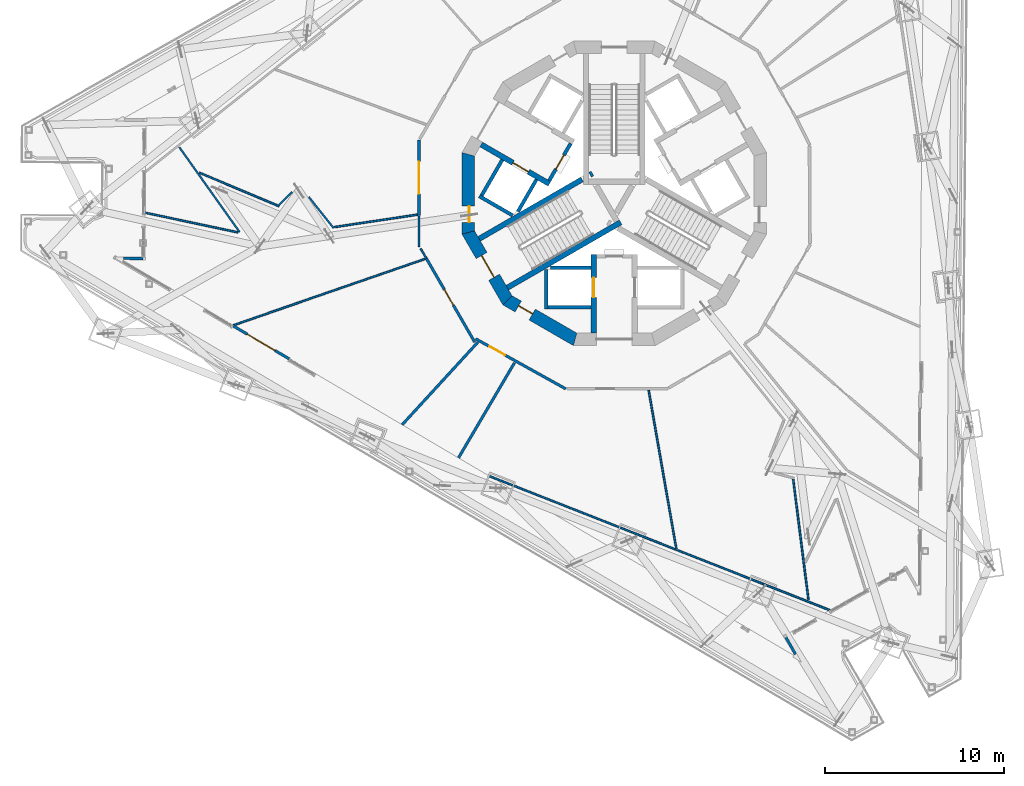
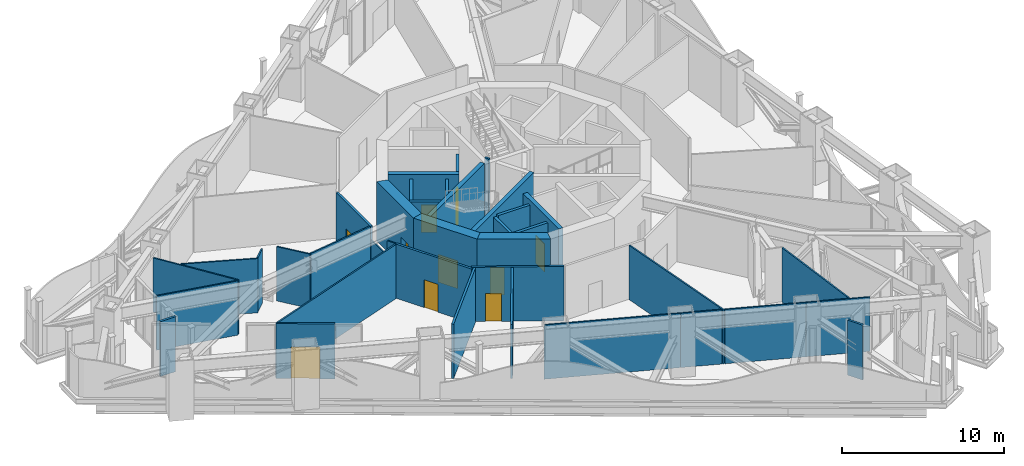
# One storey, part 12 of 27: 38 walls, 10 doors, 10 openings.
"""IFC4 building model written with IfcOpenShell, lengths in metres."""

from ifc_helpers import new_model, si_unit, direction, frame, frame_2d, origin, place, context, subcontext, project, spatial, polyline, rectangle, outline, extrude, material, layer, layer_set, type_object, element, fill, save


model = new_model("IFC4")

# Units and contexts
model_context = context("Model", 3, precision=1e-05, world=origin(), true_north=direction((0.0, 1.0)))
body_context = subcontext(model_context, "Body", "Model", "MODEL_VIEW")
ifc_project = project(units=[si_unit("LENGTHUNIT", "METRE"), si_unit("AREAUNIT", "SQUARE_METRE"), si_unit("VOLUMEUNIT", "CUBIC_METRE"), si_unit("PLANEANGLEUNIT", "RADIAN"), si_unit("MASSUNIT", "GRAM", prefix="KILO")], contexts=[model_context])

# Site, building, storey
site_placement = place(None, origin())
site = spatial("IfcSite", under=ifc_project, at=site_placement, CompositionType="ELEMENT")
building_placement = place(site_placement, origin())
building = spatial("IfcBuilding", under=site, at=building_placement, Name="Trine Commons Tower", CompositionType="ELEMENT")
storey_placement = place(building_placement, frame((0.0, 0.0, 193.5)))
storey = spatial("IfcBuildingStorey", under=building, at=storey_placement, Name="L50", CompositionType="ELEMENT", Elevation=193.5)

# Wall
ifc_material_1 = material(Name="Plasterboard on steel stud", Category="steel")
ifc_layer_1 = layer(ifc_material_1, 0.14990234375)
ifc_layer_set_1 = layer_set([ifc_layer_1], Name="Plasterboard on steel stud")
wall_type_1 = type_object("IfcWallType", Name="Compartment wall 150 mm, EI 60", PredefinedType="PARTITIONING", material=ifc_layer_set_1)
wall_1_placement = place(storey_placement, frame((68.159423828125, 49.5849609375, 0.0), z_axis=(0.0, 0.0, 1.0), x_axis=(0.675779353851, 0.737103971573, 0.0)))
element("IfcWall", 1, at=wall_1_placement, inside=storey, type_object=wall_type_1, Name="Partition A50011", PredefinedType="PARTITIONING", context=body_context, shape_type="SweptSolid", body=[
    extrude(rectangle(XDim=6.26220703125, YDim=0.14990234375, at=frame_2d((3.131103515625, 0.0))), origin(), (0.0, 0.0, 1.0), 4.10009765625),
])

# Wall, opening, door
wall_2_placement = place(storey_placement, frame((69.099853515625, 65.49560546875, 0.0), z_axis=(0.0, 0.0, 1.0), x_axis=(0.0, -1.0, 0.0)))
wall_2 = element("IfcWall", 2, at=wall_2_placement, inside=storey, type_object=wall_type_1, Name="Partition A50016", PredefinedType="PARTITIONING", context=body_context, shape_type="SweptSolid", body=[
    extrude(rectangle(XDim=4.2197265625, YDim=0.14990234375, at=frame_2d((2.10986328125, 0.0))), origin(), (0.0, 0.0, 1.0), 4.10009765625),
])
opening_1_placement = place(wall_2_placement, frame((1.222412109375, 0.0, 0.0)))
opening_1 = element("IfcOpeningElement", 3, at=opening_1_placement, cuts=wall_2, Name="Opening D-A5001", PredefinedType="OPENING", context=body_context, shape_type="SweptSolid", body=[
    extrude(rectangle(XDim=1.800048828125, YDim=2.10009765625, at=frame_2d((0.89990234375, 1.050048828125))), frame((0.0, 0.0849609375, 0.0), z_axis=(0.0, -1.0, 0.0), x_axis=(1.0, 0.0, 0.0)), (0.0, 0.0, 1.0), 0.169921875),
])
ifc_material_2 = material(Name="Timber fire door set", Category="wood")
door_type_1 = type_object("IfcDoorType", Name="Double swing door 1800x2100, FD30S", OperationType="DOUBLE_DOOR_DOUBLE_SWING", PredefinedType="DOOR", material=ifc_material_2)
door_1_placement = place(opening_1_placement, origin())
door_1 = element("IfcDoor", 4, at=door_1_placement, inside=storey, type_object=door_type_1, Name="Door D-A5001", OperationType="DOUBLE_DOOR_DOUBLE_SWING", OverallHeight=2.10009765625, OverallWidth=1.800048828125, PredefinedType="DOOR", context=body_context, shape_type="SweptSolid", body=[
    extrude(rectangle(XDim=1.800048828125, YDim=2.10009765625, at=frame_2d((0.89990234375, 1.050048828125))), frame((0.0, 0.02490234375, 0.0), z_axis=(0.0, -1.0, 0.0), x_axis=(1.0, 0.0, 0.0)), (0.0, 0.0, 1.0), 0.050048828125),
])
fill(opening_1, door_1)

wall_3_placement = place(storey_placement, frame((72.207763671875, 54.1962890625, 0.0), z_axis=(0.0, 0.0, 1.0), x_axis=(-0.500017505071, 0.866015296991, 0.0)))
wall_3 = element("IfcWall", 5, at=wall_3_placement, inside=storey, type_object=wall_type_1, Name="Partition A50018", PredefinedType="PARTITIONING", context=body_context, shape_type="SweptSolid", body=[
    extrude(rectangle(XDim=5.395751953125, YDim=0.14990234375, at=frame_2d((2.69775390625, 0.0))), origin(), (0.0, 0.0, 1.0), 4.10009765625),
])
opening_2_placement = place(wall_3_placement, frame((2.385009765625, 0.0, 0.0)))
opening_2 = element("IfcOpeningElement", 6, at=opening_2_placement, cuts=wall_3, Name="Opening D-A5003", PredefinedType="OPENING", context=body_context, shape_type="SweptSolid", body=[
    extrude(rectangle(XDim=1.0, YDim=2.10009765625, at=frame_2d((0.5, 1.050048828125))), frame((0.0, 0.0849609375, 0.0), z_axis=(0.0, -1.0, 0.0), x_axis=(1.0, 0.0, 0.0)), (0.0, 0.0, 1.0), 0.169921875),
])
door_type_2 = type_object("IfcDoorType", Name="Single swing door 1000x2100, FD30S", OperationType="SINGLE_SWING_LEFT", PredefinedType="DOOR", material=ifc_material_2)
door_2_placement = place(opening_2_placement, origin())
door_2 = element("IfcDoor", 7, at=door_2_placement, inside=storey, type_object=door_type_2, Name="Door D-A5003", OperationType="SINGLE_SWING_LEFT", OverallHeight=2.10009765625, OverallWidth=1.0, PredefinedType="DOOR", context=body_context, shape_type="SweptSolid", body=[
    extrude(rectangle(XDim=1.0, YDim=2.10009765625, at=frame_2d((0.5, 1.050048828125))), frame((0.0, 0.02490234375, 0.0), z_axis=(0.0, -1.0, 0.0), x_axis=(1.0, 0.0, 0.0)), (0.0, 0.0, 1.0), 0.050048828125),
])
fill(opening_2, door_2)

# Wall
wall_4_placement = place(storey_placement, frame((71.302001953125, 47.73388671875, 0.0), z_axis=(0.0, 0.0, 1.0), x_axis=(0.507515302778, 0.861642743512, 0.0)))
element("IfcWall", 8, at=wall_4_placement, inside=storey, type_object=wall_type_1, Name="Partition A50019", PredefinedType="PARTITIONING", context=body_context, shape_type="SweptSolid", body=[
    extrude(rectangle(XDim=6.161376953125, YDim=0.14990234375, at=frame_2d((3.08056640625, 0.0))), origin(), (0.0, 0.0, 1.0), 4.10009765625),
])

# Wall, opening, door
wall_5_placement = place(storey_placement, frame((77.290283203125, 51.587890625, 0.0), z_axis=(0.0, 0.0, 1.0), x_axis=(-0.874175297672, 0.485610490971, 0.0)))
wall_5 = element("IfcWall", 9, at=wall_5_placement, inside=storey, type_object=wall_type_1, Name="Partition A50020", PredefinedType="PARTITIONING", context=body_context, shape_type="SweptSolid", body=[
    extrude(rectangle(XDim=5.7509765625, YDim=0.14990234375, at=frame_2d((2.87548828125, 0.0))), origin(), (0.0, 0.0, 1.0), 4.10009765625),
])
opening_3_placement = place(wall_5_placement, frame((3.86767578125, 0.0, 0.0)))
opening_3 = element("IfcOpeningElement", 10, at=opening_3_placement, cuts=wall_5, Name="Opening D-A5004", PredefinedType="OPENING", context=body_context, shape_type="SweptSolid", body=[
    extrude(rectangle(XDim=1.0, YDim=2.10009765625, at=frame_2d((0.5, 1.050048828125))), frame((0.0, 0.0849609375, 0.0), z_axis=(0.0, -1.0, 0.0), x_axis=(1.0, 0.0, 0.0)), (0.0, 0.0, 1.0), 0.169921875),
])
door_3_placement = place(opening_3_placement, origin())
door_3 = element("IfcDoor", 11, at=door_3_placement, inside=storey, type_object=door_type_2, Name="Door D-A5004", OperationType="SINGLE_SWING_LEFT", OverallHeight=2.10009765625, OverallWidth=1.0, PredefinedType="DOOR", context=body_context, shape_type="SweptSolid", body=[
    extrude(rectangle(XDim=1.0, YDim=2.10009765625, at=frame_2d((0.5, 1.050048828125))), frame((0.0, 0.02490234375, 0.0), z_axis=(0.0, -1.0, 0.0), x_axis=(1.0, 0.0, 0.0)), (0.0, 0.0, 1.0), 0.050048828125),
])
fill(opening_3, door_3)

ifc_material_3 = material(Name="Aluminium-framed insulated wall panel", Category="aluminium")
ifc_layer_2 = layer(ifc_material_3, 0.14990234375)
ifc_layer_set_2 = layer_set([ifc_layer_2], Name="Aluminium-framed insulated wall panel")
wall_type_2 = type_object("IfcWallType", Name="Glazed entrance wall 150, EI 60", PredefinedType="SOLIDWALL", material=ifc_layer_set_2)
wall_6_placement = place(storey_placement, frame((61.856689453125, 53.257080078125, 0.0), z_axis=(0.0, 0.0, 1.0), x_axis=(-0.861634647644, 0.507529047424, 0.0)))
wall_6 = element("IfcWall", 12, at=wall_6_placement, inside=storey, type_object=wall_type_2, Name="Glazed entrance wall L50 F3 10", PredefinedType="SOLIDWALL", context=body_context, shape_type="SweptSolid", body=[
    extrude(rectangle(XDim=3.647216796875, YDim=0.14990234375, at=frame_2d((1.82373046875, 0.0))), origin(), (0.0, 0.0, 1.0), 4.14990234375),
])
opening_4_placement = place(wall_6_placement, frame((0.923583984375, 0.0, 0.0)))
opening_4 = element("IfcOpeningElement", 13, at=opening_4_placement, cuts=wall_6, Name="Opening SD-L50-F3-10", PredefinedType="OPENING", context=body_context, shape_type="SweptSolid", body=[
    extrude(rectangle(XDim=1.800048828125, YDim=2.39990234375, at=frame_2d((0.89990234375, 1.199951171875))), frame((0.0, 0.0849609375, 0.0), z_axis=(0.0, -1.0, 0.0), x_axis=(1.0, 0.0, 0.0)), (0.0, 0.0, 1.0), 0.169921875),
])
ifc_material_4 = material(Name="Anodised aluminium frame with double glazing", Category="aluminium")
door_type_3 = type_object("IfcDoorType", Name="Sliding double door 1800x2400", OperationType="DOUBLE_DOOR_SLIDING", PredefinedType="DOOR", material=ifc_material_4)
door_4_placement = place(opening_4_placement, origin())
door_4 = element("IfcDoor", 14, at=door_4_placement, inside=storey, type_object=door_type_3, Name="Loggia door L50 F3 10", OperationType="DOUBLE_DOOR_SLIDING", OverallHeight=2.39990234375, OverallWidth=1.800048828125, PredefinedType="DOOR", context=body_context, shape_type="SweptSolid", body=[
    extrude(rectangle(XDim=1.800048828125, YDim=2.39990234375, at=frame_2d((0.89990234375, 1.199951171875))), frame((0.0, 0.02490234375, 0.0), z_axis=(0.0, -1.0, 0.0), x_axis=(1.0, 0.0, 0.0)), (0.0, 0.0, 1.0), 0.050048828125),
])
fill(opening_4, door_4)

# Walls
ifc_layer_3 = layer(ifc_material_3, 0.14990234375)
ifc_layer_set_3 = layer_set([ifc_layer_3], Name="Aluminium-framed insulated wall panel")
wall_type_3 = type_object("IfcWallType", Name="Glazed frame wall 150, EI 60", PredefinedType="SOLIDWALL", material=ifc_layer_set_3)
wall_7_placement = place(storey_placement, frame((52.447265625, 58.875244140625, 0.0), z_axis=(0.0, 0.0, 1.0), x_axis=(0.999962043845, -0.008712684354, 0.0)))
element("IfcWall", 15, at=wall_7_placement, inside=storey, type_object=wall_type_3, Name="Glazed frame wall L50 R1", PredefinedType="SOLIDWALL", context=body_context, shape_type="SweptSolid", body=[
    extrude(outline(polyline([(0.1494140625, 0.074951171875), (0.1494140625, -0.074951171875), (1.235107421875, -0.074951171875), (1.235107421875, 0.074951171875), (0.1494140625, 0.074951171875)])), origin(), (0.0, 0.0, 1.0), 4.14990234375),
])
wall_8_placement = place(storey_placement, frame((89.525390625, 37.815185546875, 0.0), z_axis=(0.0, 0.0, 1.0), x_axis=(0.492302481267, -0.870424187933, 0.0)))
element("IfcWall", 16, at=wall_8_placement, inside=storey, type_object=wall_type_3, Name="Glazed frame wall L50 R11", PredefinedType="SOLIDWALL", context=body_context, shape_type="SweptSolid", body=[
    extrude(outline(polyline([(0.110107421875, 0.074951171875), (0.110107421875, -0.074951171875), (1.19580078125, -0.074951171875), (1.19580078125, 0.074951171875), (0.110107421875, 0.074951171875)])), origin(), (0.0, 0.0, 1.0), 4.14990234375),
])

# Wall, opening, door
ifc_material_5 = material(Name="Fire-rated gypsum shaft wall system")
ifc_layer_4 = layer(ifc_material_5, 0.199951171875)
ifc_layer_set_4 = layer_set([ifc_layer_4], Name="Fire-rated gypsum shaft wall system")
wall_type_4 = type_object("IfcWallType", Name="Lobby end wall 200 mm, EI 120", PredefinedType="PARTITIONING", material=ifc_layer_set_4)
wall_9_placement = place(storey_placement, frame((77.569091796875, 65.2890625, 0.0), z_axis=(0.0, 0.0, 1.0), x_axis=(-0.50012165622, -0.865955154139, 0.0)))
wall_9 = element("IfcWall", 17, at=wall_9_placement, inside=storey, type_object=wall_type_4, Name="Lobby end wall L50", PredefinedType="PARTITIONING", context=body_context, shape_type="SweptSolid", body=[
    extrude(rectangle(XDim=2.39990234375, YDim=0.199951171875, at=frame_2d((1.199951171875, 0.0))), origin(), (0.0, 0.0, 1.0), 4.14990234375),
])
opening_5_placement = place(wall_9_placement, frame((0.749755859375, 0.0, 0.0)))
opening_5 = element("IfcOpeningElement", 18, at=opening_5_placement, cuts=wall_9, Name="Opening K14.07", PredefinedType="OPENING", context=body_context, shape_type="SweptSolid", body=[
    extrude(rectangle(XDim=0.89990234375, YDim=2.10009765625, at=frame_2d((0.449951171875, 1.050048828125))), frame((0.0, 0.10986328125, 0.0), z_axis=(0.0, -1.0, 0.0), x_axis=(1.0, 0.0, 0.0)), (0.0, 0.0, 1.0), 0.219970703125),
])
ifc_material_6 = material(Name="Steel door leaf, fire-rated", Category="steel")
door_type_4 = type_object("IfcDoorType", Name="Riser access door, single leaf 900 x 2100, FD60", OperationType="SINGLE_SWING_LEFT", PredefinedType="DOOR", material=ifc_material_6)
door_5_placement = place(opening_5_placement, frame((0.89990234375, 0.0, 0.0), z_axis=(0.0, 0.0, 1.0), x_axis=(-1.0, 0.0, 0.0)))
door_5 = element("IfcDoor", 19, at=door_5_placement, inside=storey, type_object=door_type_4, Name="Riser door, Mechanical riser L50", OperationType="SINGLE_SWING_RIGHT", OverallHeight=2.10009765625, OverallWidth=0.89990234375, PredefinedType="DOOR", context=body_context, shape_type="SweptSolid", body=[
    extrude(rectangle(XDim=0.89990234375, YDim=2.10009765625, at=frame_2d((0.449951171875, 1.050048828125))), frame((0.0, 0.02490234375, 0.0), z_axis=(0.0, -1.0, 0.0), x_axis=(1.0, 0.0, 0.0)), (0.0, 0.0, 1.0), 0.050048828125),
])
fill(opening_5, door_5)

# Walls
ifc_layer_5 = layer(ifc_material_1, 0.10009765625)
ifc_layer_set_5 = layer_set([ifc_layer_5], Name="Plasterboard on steel stud")
wall_type_5 = type_object("IfcWallType", Name="Partition wall 100 mm stud, not rated", PredefinedType="PARTITIONING", material=ifc_layer_set_5)
wall_10_placement = place(storey_placement, frame((53.81640625, 61.420166015625, 0.0), z_axis=(0.0, 0.0, 1.0), x_axis=(0.978214532046, -0.207596554147, 0.0)))
element("IfcWall", 20, at=wall_10_placement, inside=storey, type_object=wall_type_5, Name="Partition A50001", PredefinedType="PARTITIONING", context=body_context, shape_type="SweptSolid", body=[
    extrude(rectangle(XDim=5.289794921875, YDim=0.10009765625, at=frame_2d((2.64501953125, 0.0))), origin(), (0.0, 0.0, 1.0), 4.10009765625),
])
wall_11_placement = place(storey_placement, frame((55.71875, 65.074951171875, 0.0), z_axis=(0.0, 0.0, 1.0), x_axis=(0.579068919943, -0.815278594074, 0.0)))
element("IfcWall", 21, at=wall_11_placement, inside=storey, type_object=wall_type_5, Name="Partition A50003", PredefinedType="PARTITIONING", context=body_context, shape_type="SweptSolid", body=[
    extrude(rectangle(XDim=5.8076171875, YDim=0.10009765625, at=frame_2d((2.90380859375, 0.0))), origin(), (0.0, 0.0, 1.0), 4.10009765625),
])
wall_12_placement = place(storey_placement, frame((56.8388671875, 63.652587890625, 0.0), z_axis=(0.0, 0.0, 1.0), x_axis=(0.921943468395, -0.387324464866, 0.0)))
element("IfcWall", 22, at=wall_12_placement, inside=storey, type_object=wall_type_5, Name="Partition A50004", PredefinedType="PARTITIONING", context=body_context, shape_type="SweptSolid", body=[
    extrude(rectangle(XDim=4.828369140625, YDim=0.10009765625, at=frame_2d((2.4140625, 0.0))), origin(), (0.0, 0.0, 1.0), 4.10009765625),
])
wall_13_placement = place(storey_placement, frame((58.734375, 55.13916015625, 0.0), z_axis=(0.0, 0.0, 1.0), x_axis=(0.944993769131, 0.327088331041, 0.0)))
element("IfcWall", 23, at=wall_13_placement, inside=storey, type_object=wall_type_5, Name="Partition A50005", PredefinedType="PARTITIONING", context=body_context, shape_type="SweptSolid", body=[
    extrude(rectangle(XDim=11.314697265625, YDim=0.10009765625, at=frame_2d((5.6572265625, 0.0))), origin(), (0.0, 0.0, 1.0), 4.10009765625),
])
wall_14_placement = place(storey_placement, frame((61.28369140625, 61.856201171875, 0.0), z_axis=(0.0, 0.0, 1.0), x_axis=(0.714623552614, 0.69950924086, 0.0)))
element("IfcWall", 24, at=wall_14_placement, inside=storey, type_object=wall_type_5, Name="Partition A50008", PredefinedType="PARTITIONING", context=body_context, shape_type="SweptSolid", body=[
    extrude(rectangle(XDim=1.03369140625, YDim=0.10009765625, at=frame_2d((0.516845703125, 0.0))), origin(), (0.0, 0.0, 1.0), 4.10009765625),
])
wall_15_placement = place(storey_placement, frame((62.944580078125, 62.301513671875, 0.0), z_axis=(0.0, 0.0, 1.0), x_axis=(0.623150053639, -0.782102301908, 0.0)))
element("IfcWall", 25, at=wall_15_placement, inside=storey, type_object=wall_type_5, Name="Partition A50009", PredefinedType="PARTITIONING", context=body_context, shape_type="SweptSolid", body=[
    extrude(rectangle(XDim=2.2177734375, YDim=0.10009765625, at=frame_2d((1.10888671875, 0.0))), origin(), (0.0, 0.0, 1.0), 4.10009765625),
])
wall_16_placement = place(storey_placement, frame((64.376708984375, 60.6201171875, 0.0), z_axis=(0.0, 0.0, 1.0), x_axis=(0.989012583638, 0.147831354607, 0.0)))
element("IfcWall", 26, at=wall_16_placement, inside=storey, type_object=wall_type_5, Name="Partition A50010", PredefinedType="PARTITIONING", context=body_context, shape_type="SweptSolid", body=[
    extrude(rectangle(XDim=4.690185546875, YDim=0.10009765625, at=frame_2d((2.34521484375, 0.0))), origin(), (0.0, 0.0, 1.0), 4.10009765625),
])
wall_17_placement = place(storey_placement, frame((69.099853515625, 59.529296875, 0.0), z_axis=(0.0, 0.0, 1.0), x_axis=(0.0, 1.0, 0.0)))
element("IfcWall", 27, at=wall_17_placement, inside=storey, type_object=wall_type_5, Name="Partition A50014", PredefinedType="PARTITIONING", context=body_context, shape_type="SweptSolid", body=[
    extrude(rectangle(XDim=1.70654296875, YDim=0.10009765625, at=frame_2d((0.853271484375, 0.0))), origin(), (0.0, 0.0, 1.0), 3.09130859375),
])
wall_18_placement = place(storey_placement, frame((69.193115234375, 59.417724609375, 0.0), z_axis=(0.0, 0.0, 1.0), x_axis=(0.500213193091, -0.865902281703, 0.0)))
element("IfcWall", 28, at=wall_18_placement, inside=storey, type_object=wall_type_5, Name="Partition A50015", PredefinedType="PARTITIONING", context=body_context, shape_type="SweptSolid", body=[
    extrude(rectangle(XDim=0.631591796875, YDim=0.10009765625, at=frame_2d((0.31591796875, 0.0))), origin(), (0.0, 0.0, 1.0), 4.10009765625),
])
wall_19_placement = place(storey_placement, frame((73.04296875, 46.710693359375, 0.0), z_axis=(0.0, 0.0, 1.0), x_axis=(0.93041253017, -0.366514015696, 0.0)))
element("IfcWall", 29, at=wall_19_placement, inside=storey, type_object=wall_type_5, Name="Partition A50022", PredefinedType="PARTITIONING", context=body_context, shape_type="SweptSolid", body=[
    extrude(rectangle(XDim=8.536865234375, YDim=0.10009765625, at=frame_2d((4.2685546875, 0.0))), origin(), (0.0, 0.0, 1.0), 4.10009765625),
])
wall_20_placement = place(storey_placement, frame((80.98583984375, 43.581787109375, 0.0), z_axis=(0.0, 0.0, 1.0), x_axis=(0.930434708808, -0.366457709217, 0.0)))
element("IfcWall", 30, at=wall_20_placement, inside=storey, type_object=wall_type_5, Name="Partition A50026", PredefinedType="PARTITIONING", context=body_context, shape_type="SweptSolid", body=[
    extrude(rectangle(XDim=2.588134765625, YDim=0.10009765625, at=frame_2d((1.2939453125, 0.0))), origin(), (0.0, 0.0, 1.0), 4.10009765625),
])
wall_21_placement = place(storey_placement, frame((81.918212890625, 51.516357421875, 0.0), z_axis=(0.0, 0.0, 1.0), x_axis=(0.172051026556, -0.985088038838, 0.0)))
element("IfcWall", 31, at=wall_21_placement, inside=storey, type_object=wall_type_5, Name="Partition A50027", PredefinedType="PARTITIONING", context=body_context, shape_type="SweptSolid", body=[
    extrude(rectangle(XDim=9.10009765625, YDim=0.10009765625, at=frame_2d((4.550048828125, 0.0))), origin(), (0.0, 0.0, 1.0), 4.10009765625),
])
wall_22_placement = place(storey_placement, frame((83.56005859375, 42.56787109375, 0.0), z_axis=(0.0, 0.0, 1.0), x_axis=(0.930411370409, -0.36651695979, 0.0)))
element("IfcWall", 32, at=wall_22_placement, inside=storey, type_object=wall_type_5, Name="Partition A50032", PredefinedType="PARTITIONING", context=body_context, shape_type="SweptSolid", body=[
    extrude(rectangle(XDim=5.083740234375, YDim=0.10009765625, at=frame_2d((2.5419921875, 0.0))), origin(), (0.0, 0.0, 1.0), 4.10009765625),
])
wall_23_placement = place(storey_placement, frame((88.2900390625, 40.70458984375, 0.0), z_axis=(0.0, 0.0, 1.0), x_axis=(0.930421583893, -0.366491031575, 0.0)))
element("IfcWall", 33, at=wall_23_placement, inside=storey, type_object=wall_type_5, Name="Partition A50043", PredefinedType="PARTITIONING", context=body_context, shape_type="SweptSolid", body=[
    extrude(rectangle(XDim=4.016357421875, YDim=0.10009765625, at=frame_2d((2.00830078125, 0.0))), origin(), (0.0, 0.0, 1.0), 4.10009765625),
])
wall_24_placement = place(storey_placement, frame((89.990234375, 46.54443359375, 0.0), z_axis=(0.0, 0.0, 1.0), x_axis=(0.125548374501, -0.992087498994, 0.0)))
element("IfcWall", 34, at=wall_24_placement, inside=storey, type_object=wall_type_5, Name="Partition A50054", PredefinedType="PARTITIONING", context=body_context, shape_type="SweptSolid", body=[
    extrude(rectangle(XDim=6.78857421875, YDim=0.10009765625, at=frame_2d((3.394287109375, 0.0))), origin(), (0.0, 0.0, 1.0), 4.10009765625),
])

# Wall, opening, door
ifc_material_7 = material(Name="Concrete C60/75", Category="concrete")
ifc_layer_6 = layer(ifc_material_7, 0.300048828125)
ifc_layer_set_6 = layer_set([ifc_layer_6], Name="Concrete C60/75")
wall_type_6 = type_object("IfcWallType", Name="RC shear wall 300 mm, C60/75", PredefinedType="SHEAR", material=ifc_layer_set_6)
wall_25_placement = place(storey_placement, frame((76.381103515625, 63.031005859375, 0.0), z_axis=(0.0, 0.0, 1.0), x_axis=(-0.866059941101, 0.499940174841, 0.0)))
wall_25 = element("IfcWall", 35, at=wall_25_placement, inside=storey, type_object=wall_type_6, Name="Core cross wall SWC-01 L50", PredefinedType="SHEAR", context=body_context, shape_type="SweptSolid", body=[
    extrude(rectangle(XDim=4.400390625, YDim=0.300048828125, at=frame_2d((2.2001953125, 0.0))), origin(), (0.0, 0.0, 1.0), 4.5),
])
opening_6_placement = place(wall_25_placement, frame((1.350341796875, 0.0, 0.0)))
opening_6 = element("IfcOpeningElement", 36, at=opening_6_placement, cuts=wall_25, Name="Opening LD7", PredefinedType="OPENING", context=body_context, shape_type="SweptSolid", body=[
    extrude(rectangle(XDim=1.0, YDim=2.10009765625, at=frame_2d((0.5, 1.050048828125))), frame((0.0, 0.159912109375, 0.0), z_axis=(0.0, -1.0, 0.0), x_axis=(1.0, 0.0, 0.0)), (0.0, 0.0, 1.0), 0.320068359375),
])
ifc_material_8 = material(Name="Stainless steel sliding door leaves", Category="steel")
door_type_5 = type_object("IfcDoorType", Name="Lift landing door, centre-opening sliding 1000 x 2100, FD90", OperationType="DOUBLE_DOOR_SLIDING", PredefinedType="DOOR", material=ifc_material_8)
door_6_placement = place(opening_6_placement, origin())
door_6 = element("IfcDoor", 37, at=door_6_placement, inside=storey, type_object=door_type_5, Name="Lift landing door HR3 L50", OperationType="DOUBLE_DOOR_SLIDING", OverallHeight=2.10009765625, OverallWidth=1.0, PredefinedType="DOOR", context=body_context, shape_type="SweptSolid", body=[
    extrude(rectangle(XDim=1.0, YDim=2.10009765625, at=frame_2d((0.5, 1.050048828125))), frame((0.0, 0.02490234375, 0.0), z_axis=(0.0, -1.0, 0.0), x_axis=(1.0, 0.0, 0.0)), (0.0, 0.0, 1.0), 0.050048828125),
])
fill(opening_6, door_6)

wall_26_placement = place(storey_placement, frame((78.85009765625, 59.10009765625, 0.0), z_axis=(0.0, 0.0, 1.0), x_axis=(0.0, -1.0, 0.0)))
wall_26 = element("IfcWall", 38, at=wall_26_placement, inside=storey, type_object=wall_type_6, Name="Core cross wall SWC-03 L50", PredefinedType="SHEAR", context=body_context, shape_type="SweptSolid", body=[
    extrude(rectangle(XDim=4.400146484375, YDim=0.300048828125, at=frame_2d((2.2001953125, 0.0))), origin(), (0.0, 0.0, 1.0), 4.5),
])
opening_7_placement = place(wall_26_placement, frame((1.300048828125, 0.0, 0.0)))
opening_7 = element("IfcOpeningElement", 39, at=opening_7_placement, cuts=wall_26, Name="Opening LD10", PredefinedType="OPENING", context=body_context, shape_type="SweptSolid", body=[
    extrude(rectangle(XDim=1.10009765625, YDim=2.10009765625, at=frame_2d((0.550048828125, 1.050048828125))), frame((0.0, 0.159912109375, 0.0), z_axis=(0.0, -1.0, 0.0), x_axis=(1.0, 0.0, 0.0)), (0.0, 0.0, 1.0), 0.320068359375),
])
door_type_6 = type_object("IfcDoorType", Name="Lift landing door, centre-opening sliding 1100 x 2100, FD90", OperationType="DOUBLE_DOOR_SLIDING", PredefinedType="DOOR", material=ifc_material_8)
door_7_placement = place(opening_7_placement, origin())
door_7 = element("IfcDoor", 40, at=door_7_placement, inside=storey, type_object=door_type_6, Name="Lift landing door FF2 L50", OperationType="DOUBLE_DOOR_SLIDING", OverallHeight=2.10009765625, OverallWidth=1.10009765625, PredefinedType="DOOR", context=body_context, shape_type="SweptSolid", body=[
    extrude(rectangle(XDim=1.10009765625, YDim=2.10009765625, at=frame_2d((0.550048828125, 1.050048828125))), frame((0.0, 0.02490234375, 0.0), z_axis=(0.0, -1.0, 0.0), x_axis=(1.0, 0.0, 0.0)), (0.0, 0.0, 1.0), 0.050048828125),
])
fill(opening_7, door_7)

# Walls
wall_27_placement = place(storey_placement, frame((78.199951171875, 63.280029296875, 0.0), z_axis=(0.0, 0.0, 1.0), x_axis=(-0.866009627307, -0.500027324665, 0.0)))
element("IfcWall", 41, at=wall_27_placement, inside=storey, type_object=wall_type_6, Name="Core cross wall SWC-07 L50", PredefinedType="SHEAR", context=body_context, shape_type="SweptSolid", body=[
    extrude(rectangle(XDim=6.631591796875, YDim=0.300048828125, at=frame_2d((3.31591796875, 0.0))), origin(), (0.0, 0.0, 1.0), 4.5),
])
wall_28_placement = place(storey_placement, frame((78.779052734375, 63.614013671875, 0.0), z_axis=(0.0, 0.0, 1.0), x_axis=(-0.867737973955, -0.497021939713, 0.0)))
element("IfcWall", 42, at=wall_28_placement, inside=storey, type_object=wall_type_6, Name="Core cross wall SWC-09 L50", PredefinedType="SHEAR", context=body_context, shape_type="SweptSolid", body=[
    extrude(rectangle(XDim=0.14892578125, YDim=0.300048828125, at=frame_2d((0.074462890625, 0.0))), origin(), (0.0, 0.0, 1.0), 4.5),
])
wall_29_placement = place(storey_placement, frame((80.35400390625, 60.885986328125, 0.0), z_axis=(0.0, 0.0, 1.0), x_axis=(-0.866032430508, -0.49998782916, 0.0)))
element("IfcWall", 43, at=wall_29_placement, inside=storey, type_object=wall_type_6, Name="Core cross wall SWC-14 L50", PredefinedType="SHEAR", context=body_context, shape_type="SweptSolid", body=[
    extrude(rectangle(XDim=7.300048828125, YDim=0.300048828125, at=frame_2d((3.64990234375, 0.0))), origin(), (0.0, 0.0, 1.0), 4.5),
])

# Wall, opening, door
ifc_layer_7 = layer(ifc_material_7, 0.699951171875)
ifc_layer_set_7 = layer_set([ifc_layer_7], Name="Concrete C60/75")
wall_type_7 = type_object("IfcWallType", Name="RC shear wall 700 mm, C60/75", PredefinedType="SHEAR", material=ifc_layer_set_7)
wall_30_placement = place(storey_placement, frame((71.849853515625, 64.777587890625, 0.0), z_axis=(0.0, 0.0, 1.0), x_axis=(0.0, -1.0, 0.0)))
wall_30 = element("IfcWall", 44, at=wall_30_placement, inside=storey, type_object=wall_type_7, Name="Core wall CWF-07 L50", PredefinedType="SHEAR", context=body_context, shape_type="SweptSolid", body=[
    extrude(outline(polyline([(0.0, -0.35009765625), (4.55517578125, -0.35009765625), (4.36767578125, 0.35009765625), (0.1875, 0.35009765625), (0.0, -0.35009765625)])), origin(), (0.0, 0.0, 1.0), 4.5),
])
opening_8_placement = place(wall_30_placement, frame((2.99169921875, 0.0, 0.0)))
opening_8 = element("IfcOpeningElement", 45, at=opening_8_placement, cuts=wall_30, Name="Opening K14.12", PredefinedType="OPENING", context=body_context, shape_type="SweptSolid", body=[
    extrude(rectangle(XDim=0.89990234375, YDim=2.10009765625, at=frame_2d((0.449951171875, 1.050048828125))), frame((0.0, 0.35986328125, 0.0), z_axis=(0.0, -1.0, 0.0), x_axis=(1.0, 0.0, 0.0)), (0.0, 0.0, 1.0), 0.719970703125),
])
door_type_7 = type_object("IfcDoorType", Name="Core room door, single leaf 900 x 2100, FD30S", OperationType="SINGLE_SWING_LEFT", PredefinedType="DOOR", material=ifc_material_6)
door_8_placement = place(opening_8_placement, origin())
door_8 = element("IfcDoor", 46, at=door_8_placement, inside=storey, type_object=door_type_7, Name="Door to Pantry L50", OperationType="SINGLE_SWING_RIGHT", OverallHeight=2.10009765625, OverallWidth=0.89990234375, PredefinedType="DOOR", context=body_context, shape_type="SweptSolid", body=[
    extrude(rectangle(XDim=0.89990234375, YDim=2.10009765625, at=frame_2d((0.449951171875, 1.050048828125))), frame((0.0, 0.0751953125, 0.0), z_axis=(0.0, -1.0, 0.0), x_axis=(1.0, 0.0, 0.0)), (0.0, 0.0, 1.0), 0.050048828125),
])
fill(opening_8, door_8)

wall_31_placement = place(storey_placement, frame((71.802978515625, 60.3974609375, 0.0), z_axis=(0.0, 0.0, 1.0), x_axis=(0.499983800959, -0.866034756103, 0.0)))
wall_31 = element("IfcWall", 47, at=wall_31_placement, inside=storey, type_object=wall_type_7, Name="Core wall CWF-08 L50", PredefinedType="SHEAR", context=body_context, shape_type="SweptSolid", body=[
    extrude(outline(polyline([(0.0, -0.35009765625), (4.55517578125, -0.35009765625), (4.36767578125, 0.35009765625), (0.1875, 0.35009765625), (0.0, -0.35009765625)])), origin(), (0.0, 0.0, 1.0), 4.5),
])
opening_9_placement = place(wall_31_placement, frame((1.577392578125, 0.0, 0.0)))
opening_9 = element("IfcOpeningElement", 48, at=opening_9_placement, cuts=wall_31, Name="Opening K14.02", PredefinedType="OPENING", context=body_context, shape_type="SweptSolid", body=[
    extrude(rectangle(XDim=1.39990234375, YDim=2.10009765625, at=frame_2d((0.699951171875, 1.050048828125))), frame((0.0, 0.35986328125, 0.0), z_axis=(0.0, -1.0, 0.0), x_axis=(1.0, 0.0, 0.0)), (0.0, 0.0, 1.0), 0.719970703125),
])
ifc_material_9 = material(Name="Steel door leaves, fire-rated", Category="steel")
door_type_8 = type_object("IfcDoorType", Name="Stair door, double leaf 1400 x 2100, FD90", OperationType="DOUBLE_DOOR_SINGLE_SWING", PredefinedType="DOOR", material=ifc_material_9)
door_9_placement = place(opening_9_placement, origin())
door_9 = element("IfcDoor", 49, at=door_9_placement, inside=storey, type_object=door_type_8, Name="Stair door to Exit stair ST2C L50", OperationType="DOUBLE_DOOR_SINGLE_SWING", OverallHeight=2.10009765625, OverallWidth=1.39990234375, PredefinedType="DOOR", context=body_context, shape_type="SweptSolid", body=[
    extrude(rectangle(XDim=1.39990234375, YDim=2.10009765625, at=frame_2d((0.699951171875, 1.050048828125))), frame((0.0, 0.02490234375, 0.0), z_axis=(0.0, -1.0, 0.0), x_axis=(1.0, 0.0, 0.0)), (0.0, 0.0, 1.0), 0.050048828125),
])
fill(opening_9, door_9)

wall_32_placement = place(storey_placement, frame((73.952392578125, 56.58056640625, 0.0), z_axis=(0.0, 0.0, 1.0), x_axis=(0.866034756103, -0.499983800959, 0.0)))
wall_32 = element("IfcWall", 50, at=wall_32_placement, inside=storey, type_object=wall_type_7, Name="Core wall CWF-09 L50", PredefinedType="SHEAR", context=body_context, shape_type="SweptSolid", body=[
    extrude(outline(polyline([(0.0, -0.35009765625), (4.55517578125, -0.35009765625), (4.36767578125, 0.35009765625), (0.1875, 0.35009765625), (0.0, -0.35009765625)])), origin(), (0.0, 0.0, 1.0), 4.5),
])
opening_10_placement = place(wall_32_placement, frame((0.791015625, 0.0, 0.0)))
opening_10 = element("IfcOpeningElement", 51, at=opening_10_placement, cuts=wall_32, Name="Opening K14.13", PredefinedType="OPENING", context=body_context, shape_type="SweptSolid", body=[
    extrude(rectangle(XDim=0.89990234375, YDim=2.10009765625, at=frame_2d((0.449951171875, 1.050048828125))), frame((0.0, 0.35986328125, 0.0), z_axis=(0.0, -1.0, 0.0), x_axis=(1.0, 0.0, 0.0)), (0.0, 0.0, 1.0), 0.719970703125),
])
door_10_placement = place(opening_10_placement, origin())
door_10 = element("IfcDoor", 52, at=door_10_placement, inside=storey, type_object=door_type_7, Name="Door to Parcel store L50", OperationType="SINGLE_SWING_LEFT", OverallHeight=2.10009765625, OverallWidth=0.89990234375, PredefinedType="DOOR", context=body_context, shape_type="SweptSolid", body=[
    extrude(rectangle(XDim=0.89990234375, YDim=2.10009765625, at=frame_2d((0.449951171875, 1.050048828125))), frame((0.0, 0.0751953125, 0.0), z_axis=(0.0, -1.0, 0.0), x_axis=(1.0, 0.0, 0.0)), (0.0, 0.0, 1.0), 0.050048828125),
])
fill(opening_10, door_10)

# Walls
ifc_layer_8 = layer(ifc_material_5, 0.199951171875)
ifc_layer_set_8 = layer_set([ifc_layer_8], Name="Fire-rated gypsum shaft wall system")
wall_type_8 = type_object("IfcWallType", Name="Shaft wall 200 mm, EI 120", PredefinedType="PARTITIONING", material=ifc_layer_set_8)
wall_33_placement = place(storey_placement, frame((73.7509765625, 64.3759765625, 0.0), z_axis=(0.0, 0.0, 1.0), x_axis=(-0.500136062276, -0.86594683394, 0.0)))
element("IfcWall", 53, at=wall_33_placement, inside=storey, type_object=wall_type_8, Name="Shaft wall L50", PredefinedType="PARTITIONING", context=body_context, shape_type="SweptSolid", body=[
    extrude(rectangle(XDim=2.299072265625, YDim=0.199951171875, at=frame_2d((1.1494140625, 0.0))), origin(), (0.0, 0.0, 1.0), 4.14990234375),
])
wall_34_placement = place(storey_placement, frame((74.324951171875, 61.27392578125, 0.0), z_axis=(0.0, 0.0, 1.0), x_axis=(-0.866102336459, 0.499866725018, 0.0)))
element("IfcWall", 54, at=wall_34_placement, inside=storey, type_object=wall_type_8, Name="Shaft wall L50", PredefinedType="PARTITIONING", context=body_context, shape_type="SweptSolid", body=[
    extrude(rectangle(XDim=2.1484375, YDim=0.199951171875, at=frame_2d((1.07421875, 0.0))), origin(), (0.0, 0.0, 1.0), 4.14990234375),
])
wall_35_placement = place(storey_placement, frame((75.656005859375, 63.27587890625, 0.0), z_axis=(0.0, 0.0, 1.0), x_axis=(-0.500271688072, -0.86586848777, 0.0)))
element("IfcWall", 55, at=wall_35_placement, inside=storey, type_object=wall_type_8, Name="Shaft wall L50", PredefinedType="PARTITIONING", context=body_context, shape_type="SweptSolid", body=[
    extrude(rectangle(XDim=2.064697265625, YDim=0.199951171875, at=frame_2d((1.0322265625, 0.0))), origin(), (0.0, 0.0, 1.0), 4.14990234375),
])
wall_36_placement = place(storey_placement, frame((76.199951171875, 58.257080078125, 0.0), z_axis=(0.0, 0.0, 1.0), x_axis=(0.0, -1.0, 0.0)))
element("IfcWall", 56, at=wall_36_placement, inside=storey, type_object=wall_type_8, Name="Shaft wall L50", PredefinedType="PARTITIONING", context=body_context, shape_type="SweptSolid", body=[
    extrude(rectangle(XDim=2.20703125, YDim=0.199951171875, at=frame_2d((1.103515625, 0.0))), origin(), (0.0, 0.0, 1.0), 4.14990234375),
])
wall_37_placement = place(storey_placement, frame((78.699951171875, 56.14990234375, 0.0), z_axis=(0.0, 0.0, 1.0), x_axis=(-1.0, 0.0, 0.0)))
element("IfcWall", 57, at=wall_37_placement, inside=storey, type_object=wall_type_8, Name="Shaft wall L50", PredefinedType="PARTITIONING", context=body_context, shape_type="SweptSolid", body=[
    extrude(rectangle(XDim=2.39990234375, YDim=0.199951171875, at=frame_2d((1.199951171875, 0.0))), origin(), (0.0, 0.0, 1.0), 4.14990234375),
])
wall_38_placement = place(storey_placement, frame((78.699951171875, 58.35009765625, 0.0), z_axis=(0.0, 0.0, 1.0), x_axis=(-1.0, 0.0, 0.0)))
element("IfcWall", 58, at=wall_38_placement, inside=storey, type_object=wall_type_8, Name="Shaft wall L50", PredefinedType="PARTITIONING", context=body_context, shape_type="SweptSolid", body=[
    extrude(rectangle(XDim=2.264892578125, YDim=0.199951171875, at=frame_2d((1.13232421875, 0.0))), origin(), (0.0, 0.0, 1.0), 4.14990234375),
])

save(model, "model.ifc")
